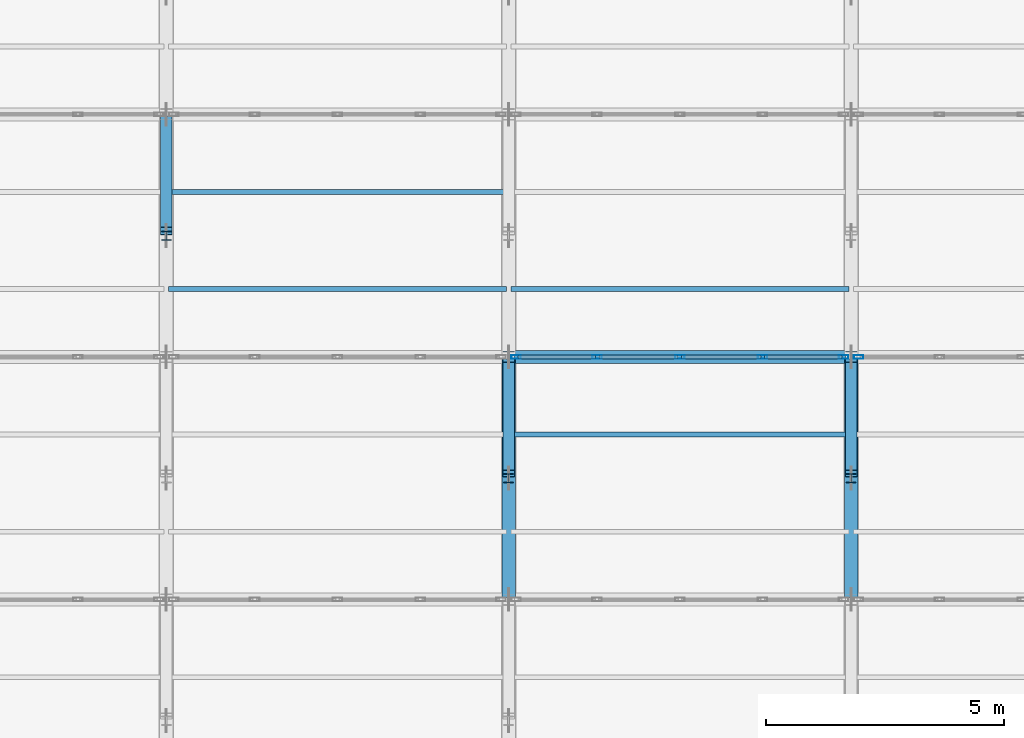
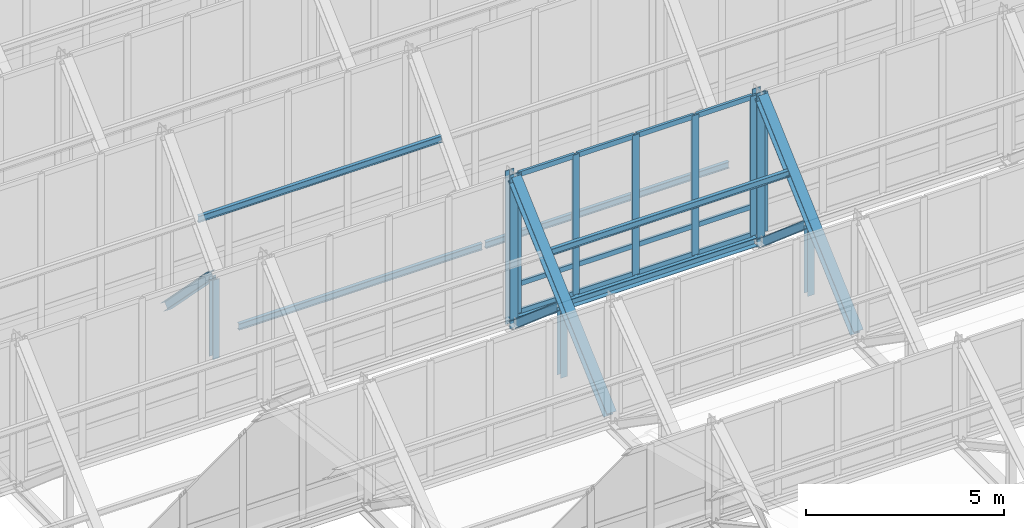
# One storey, part 48 of 157: 32 members, 1 beam, 2 elements without a shape of their own.
"""IFC4 building model written with IfcOpenShell, lengths in metres."""

from ifc_helpers import new_model, si_unit, direction, frame, origin, origin_2d, place, context, subcontext, project, spatial, hollow_rectangle, i_section, extrude, material, material_profile, profile_set, type_object, element, aggregate, save


model = new_model("IFC4")

# Units and contexts
model_context = context("Model", 3, precision=1e-05, world=origin(), true_north=direction((0.0, 1.0)))
body_context = subcontext(model_context, "Body", "Model", "MODEL_VIEW")
ifc_project = project(units=[si_unit("LENGTHUNIT", "METRE"), si_unit("AREAUNIT", "SQUARE_METRE"), si_unit("VOLUMEUNIT", "CUBIC_METRE"), si_unit("PLANEANGLEUNIT", "RADIAN"), si_unit("MASSUNIT", "GRAM", prefix="KILO")], contexts=[model_context])

# Site, building, storey
site_placement = place(None, origin())
site = spatial("IfcSite", under=ifc_project, at=site_placement, CompositionType="ELEMENT")
building_placement = place(site_placement, origin())
building = spatial("IfcBuilding", under=site, at=building_placement, Name="Suanplinth Sawtooth Commons", CompositionType="ELEMENT")
storey_placement = place(building_placement, frame((0.0, 0.0, 9.0)))
storey = spatial("IfcBuildingStorey", under=building, at=storey_placement, Name="L02", CompositionType="ELEMENT", Elevation=9.0)

# Beam
ifc_material_1 = material(Name="Steel S355JR", Category="steel")
ifc_material_profile_1 = material_profile(ifc_material_1, i_section(OverallWidth=0.280029296875, OverallDepth=0.27001953125, WebThickness=0.008056640625, FlangeThickness=0.012939453125, at=origin_2d()), Name="HEA 280")
ifc_profile_set_1 = profile_set([ifc_material_profile_1], Name="Steel S355JR")
beam_type = type_object("IfcBeamType", Name="B-16", PredefinedType="USERDEFINED", material=ifc_profile_set_1)
beam_placement = place(storey_placement, frame((86.52001953125, 65.699951171875, 2.820068359375), z_axis=(1.0, 0.0, 0.0), x_axis=(0.0, 1.0, 0.0)))
element("IfcBeam", 1, at=beam_placement, inside=storey, type_object=beam_type, Name="Sawtooth Valley Girder T4-B4", ObjectType="GIRDER", PredefinedType="USERDEFINED", context=body_context, shape_type="SweptSolid", body=[
    extrude(i_section(OverallWidth=0.280029296875, OverallDepth=0.27001953125, WebThickness=0.008056640625, FlangeThickness=0.012939453125, at=origin_2d()), origin(), (0.0, 0.0, 1.0), 6.9599609375),
])

# Members
ifc_material_profile_2 = material_profile(ifc_material_1, i_section(OverallWidth=0.280029296875, OverallDepth=0.280029296875, WebThickness=0.010498046875, FlangeThickness=0.01806640625, at=origin_2d()), Name="HEB 280")
ifc_profile_set_2 = profile_set([ifc_material_profile_2], Name="Steel S355JR")
member_type_1 = type_object("IfcMemberType", Name="M-02", PredefinedType="CHORD", material=ifc_profile_set_2)
for number, where, z_axis, x_axis, name in (
    (2, (86.39990234375, 60.739990234375, 2.919921875), (0.0, 0.740839311711, 0.671682301556), (-1.0, 0.0, 0.0), "Sawtooth Truss T4 Top Chord 3"),
    (3, (93.60009765625, 60.739990234375, 2.919921875), (0.0, 0.740839311711, 0.671682301556), (-1.0, 0.0, 0.0), "Sawtooth Truss T5 Top Chord 3"),
):
    element("IfcMember", number, at=place(storey_placement, frame(where, z_axis=z_axis, x_axis=x_axis)), inside=storey, type_object=member_type_1, Name=name, PredefinedType="CHORD", context=body_context, shape_type="SweptSolid", body=[
        extrude(i_section(OverallWidth=0.280029296875, OverallDepth=0.280029296875, WebThickness=0.010498046875, FlangeThickness=0.01806640625, at=origin_2d()), origin(), (0.0, 0.0, 1.0), 6.50634765625),
    ])
ifc_material_profile_3 = material_profile(ifc_material_1, i_section(OverallWidth=0.239990234375, OverallDepth=0.22998046875, WebThickness=0.007568359375, FlangeThickness=0.011962890625, at=origin_2d()), Name="HEA 240")
ifc_profile_set_3 = profile_set([ifc_material_profile_3], Name="Steel S355JR")
member_type_2 = type_object("IfcMemberType", Name="M-03", PredefinedType="BRACE", material=ifc_profile_set_3)
member_1_placement = place(storey_placement, frame((79.199951171875, 68.35009765625, 5.1201171875), z_axis=(0.0, 0.701020432133, -0.713141187797), x_axis=(-1.0, 0.0, 0.0)))
element("IfcMember", 4, at=member_1_placement, inside=storey, type_object=member_type_2, Name="Sawtooth Truss T3 Web Diagonal 4", PredefinedType="BRACE", context=body_context, shape_type="SweptSolid", body=[
    extrude(i_section(OverallWidth=0.239990234375, OverallDepth=0.22998046875, WebThickness=0.007568359375, FlangeThickness=0.011962890625, at=origin_2d()), origin(), (0.0, 0.0, 1.0), 3.323486328125),
])
for number, where, z_axis, x_axis, name in (
    (5, (86.39990234375, 63.25, 4.7451171875), (0.0, 0.759593581641, -0.65039802485), (-1.0, 0.0, 0.0), "Sawtooth Truss T4 Web Diagonal 3"),
    (6, (93.60009765625, 63.25, 4.7451171875), (0.0, 0.759593581641, -0.65039802485), (-1.0, 0.0, 0.0), "Sawtooth Truss T5 Web Diagonal 3"),
):
    element("IfcMember", number, at=place(storey_placement, frame(where, z_axis=z_axis, x_axis=x_axis)), inside=storey, type_object=member_type_2, Name=name, PredefinedType="BRACE", context=body_context, shape_type="SweptSolid", body=[
        extrude(i_section(OverallWidth=0.239990234375, OverallDepth=0.22998046875, WebThickness=0.007568359375, FlangeThickness=0.011962890625, at=origin_2d()), origin(), (0.0, 0.0, 1.0), 3.067626953125),
    ])
ifc_material_profile_4 = material_profile(ifc_material_1, i_section(OverallWidth=0.199951171875, OverallDepth=0.18994140625, WebThickness=0.006591796875, FlangeThickness=0.010009765625, at=origin_2d()), Name="HEA 200")
ifc_profile_set_4 = profile_set([ifc_material_profile_4], Name="Steel S355JR")
member_type_3 = type_object("IfcMemberType", Name="M-04", PredefinedType="BRACE", material=ifc_profile_set_4)
member_2_placement = place(storey_placement, frame((79.199951171875, 68.25, 2.64990234375), z_axis=(0.0, 0.0, 1.0), x_axis=(1.0, 0.0, 0.0)))
element("IfcMember", 7, at=member_2_placement, inside=storey, type_object=member_type_3, Name="Sawtooth Truss T3 Mid Web Post 4", PredefinedType="BRACE", context=body_context, shape_type="SweptSolid", body=[
    extrude(i_section(OverallWidth=0.199951171875, OverallDepth=0.18994140625, WebThickness=0.006591796875, FlangeThickness=0.010009765625, at=origin_2d()), origin(), (0.0, 0.0, 1.0), 2.4501953125),
])
for number, where, z_axis, x_axis, name in (
    (8, (86.39990234375, 63.14990234375, 2.64990234375), (0.0, 0.0, 1.0), (1.0, 0.0, 0.0), "Sawtooth Truss T4 Mid Web Post 3"),
    (9, (93.60009765625, 63.14990234375, 2.64990234375), (0.0, 0.0, 1.0), (1.0, 0.0, 0.0), "Sawtooth Truss T5 Mid Web Post 3"),
):
    element("IfcMember", number, at=place(storey_placement, frame(where, z_axis=z_axis, x_axis=x_axis)), inside=storey, type_object=member_type_3, Name=name, PredefinedType="BRACE", context=body_context, shape_type="SweptSolid", body=[
        extrude(i_section(OverallWidth=0.199951171875, OverallDepth=0.18994140625, WebThickness=0.006591796875, FlangeThickness=0.010009765625, at=origin_2d()), origin(), (0.0, 0.0, 1.0), 2.0751953125),
    ])
ifc_material_profile_5 = material_profile(ifc_material_1, i_section(OverallWidth=0.239990234375, OverallDepth=0.239990234375, WebThickness=0.010009765625, FlangeThickness=0.01708984375, at=origin_2d()), Name="HEB 240")
ifc_profile_set_5 = profile_set([ifc_material_profile_5], Name="Steel S355JR")
member_type_4 = type_object("IfcMemberType", Name="M-05", PredefinedType="POST", material=ifc_profile_set_5)
for number, where, z_axis, x_axis, name in (
    (10, (86.39990234375, 65.699951171875, 2.64990234375), (0.0, 0.0, 1.0), (1.0, 0.0, 0.0), "Sawtooth Truss T4 Clerestory Post 3"),
    (11, (93.60009765625, 65.699951171875, 2.64990234375), (0.0, 0.0, 1.0), (1.0, 0.0, 0.0), "Sawtooth Truss T5 Clerestory Post 3"),
):
    element("IfcMember", number, at=place(storey_placement, frame(where, z_axis=z_axis, x_axis=x_axis)), inside=storey, type_object=member_type_4, Name=name, PredefinedType="POST", context=body_context, shape_type="SweptSolid", body=[
        extrude(i_section(OverallWidth=0.239990234375, OverallDepth=0.239990234375, WebThickness=0.010009765625, FlangeThickness=0.01708984375, at=origin_2d()), origin(), (0.0, 0.0, 1.0), 4.739990234375),
    ])
ifc_material_2 = material(Name="Steel SS400", Category="steel")
ifc_material_profile_6 = material_profile(ifc_material_2, i_section(OverallWidth=0.10009765625, OverallDepth=0.199951171875, WebThickness=0.005615234375, FlangeThickness=0.008544921875, at=origin_2d()), Name="IPE 200")
ifc_profile_set_6 = profile_set([ifc_material_profile_6], Name="Steel SS400")
member_type_5 = type_object("IfcMemberType", Name="M-06", PredefinedType="PURLIN", material=ifc_profile_set_6)
for number, where, z_axis, x_axis, name in (
    (12, (86.449951171875, 64.068115234375, 5.84716796875), (1.0, 0.0, 0.0), (0.0, 1.0, 0.0), "Sawtooth Roof Purlin T3-B4-P2"),
    (13, (79.25, 67.1279296875, 4.2587890625), (1.0, 0.0, 0.0), (0.0, 1.0, 0.0), "Sawtooth Roof Purlin T4-B3-P1"),
    (14, (79.25, 69.16796875, 6.3388671875), (1.0, 0.0, 0.0), (0.0, 1.0, 0.0), "Sawtooth Roof Purlin T4-B3-P2"),
    (15, (86.449951171875, 67.1279296875, 4.2587890625), (1.0, 0.0, 0.0), (0.0, 1.0, 0.0), "Sawtooth Roof Purlin T4-B4-P1"),
):
    element("IfcMember", number, at=place(storey_placement, frame(where, z_axis=z_axis, x_axis=x_axis)), inside=storey, type_object=member_type_5, Name=name, PredefinedType="PURLIN", context=body_context, shape_type="SweptSolid", body=[
        extrude(i_section(OverallWidth=0.10009765625, OverallDepth=0.199951171875, WebThickness=0.005615234375, FlangeThickness=0.008544921875, at=origin_2d()), origin(), (0.0, 0.0, 1.0), 7.10009765625),
    ])

# Curtain wall, members
ifc_material_3 = material(Name="Anodized aluminium and low-E glazing", Category="aluminium")
curtain_wall_type = type_object("IfcCurtainWallType", Name="CW-03", PredefinedType="USERDEFINED", material=ifc_material_3)
curtain_wall_1_placement = place(storey_placement, origin())
curtain_wall_1 = element("IfcCurtainWall", 16, at=curtain_wall_1_placement, inside=storey, type_object=curtain_wall_type, Name="Curtain Wall CW-SAW-T3-B4", ObjectType="CURTAIN WALL", PredefinedType="USERDEFINED")
ifc_material_4 = material(Name="Anodized aluminium 6063-T6", Category="aluminium")
ifc_material_profile_7 = material_profile(ifc_material_4, hollow_rectangle(XDim=0.074951171875, YDim=0.199951171875, WallThickness=0.0048828125, at=origin_2d()), Name="ALU-MUL 75x200")
ifc_profile_set_7 = profile_set([ifc_material_profile_7], Name="Anodized aluminium 6063-T6")
member_type_6 = type_object("IfcMemberType", Name="M-14", PredefinedType="MULLION", material=ifc_profile_set_7)
member_3_placement = place(storey_placement, frame((86.5576171875, 65.699951171875, 2.97998046875), z_axis=(0.0, 0.0, 1.0), x_axis=(0.0, 1.0, 0.0)))
member_3 = element("IfcMember", 17, at=member_3_placement, type_object=member_type_6, Name="CW-03 mullion 1", PredefinedType="MULLION", context=body_context, shape_type="SweptSolid", body=[
    extrude(hollow_rectangle(XDim=0.074951171875, YDim=0.199951171875, WallThickness=0.0048828125, at=origin_2d()), origin(), (0.0, 0.0, 1.0), 4.31005859375),
])
member_4_placement = place(storey_placement, frame((88.260009765625, 65.699951171875, 2.97998046875), z_axis=(0.0, 0.0, 1.0), x_axis=(0.0, 1.0, 0.0)))
member_4 = element("IfcMember", 18, at=member_4_placement, type_object=member_type_6, Name="CW-03 mullion 2", PredefinedType="MULLION", context=body_context, shape_type="SweptSolid", body=[
    extrude(hollow_rectangle(XDim=0.074951171875, YDim=0.199951171875, WallThickness=0.0048828125, at=origin_2d()), origin(), (0.0, 0.0, 1.0), 4.31005859375),
])
member_5_placement = place(storey_placement, frame((90.0, 65.699951171875, 2.97998046875), z_axis=(0.0, 0.0, 1.0), x_axis=(0.0, 1.0, 0.0)))
member_5 = element("IfcMember", 19, at=member_5_placement, type_object=member_type_6, Name="CW-03 mullion 3", PredefinedType="MULLION", context=body_context, shape_type="SweptSolid", body=[
    extrude(hollow_rectangle(XDim=0.074951171875, YDim=0.199951171875, WallThickness=0.0048828125, at=origin_2d()), origin(), (0.0, 0.0, 1.0), 4.31005859375),
])
member_6_placement = place(storey_placement, frame((91.739990234375, 65.699951171875, 2.97998046875), z_axis=(0.0, 0.0, 1.0), x_axis=(0.0, 1.0, 0.0)))
member_6 = element("IfcMember", 20, at=member_6_placement, type_object=member_type_6, Name="CW-03 mullion 4", PredefinedType="MULLION", context=body_context, shape_type="SweptSolid", body=[
    extrude(hollow_rectangle(XDim=0.074951171875, YDim=0.199951171875, WallThickness=0.0048828125, at=origin_2d()), origin(), (0.0, 0.0, 1.0), 4.31005859375),
])
member_7_placement = place(storey_placement, frame((93.4423828125, 65.699951171875, 2.97998046875), z_axis=(0.0, 0.0, 1.0), x_axis=(0.0, 1.0, 0.0)))
member_7 = element("IfcMember", 21, at=member_7_placement, type_object=member_type_6, Name="CW-03 mullion 5", PredefinedType="MULLION", context=body_context, shape_type="SweptSolid", body=[
    extrude(hollow_rectangle(XDim=0.074951171875, YDim=0.199951171875, WallThickness=0.0048828125, at=origin_2d()), origin(), (0.0, 0.0, 1.0), 4.31005859375),
])

# Curtain wall, member
curtain_wall_2_placement = place(storey_placement, origin())
curtain_wall_2 = element("IfcCurtainWall", 22, at=curtain_wall_2_placement, inside=storey, type_object=curtain_wall_type, Name="Curtain Wall CW-SAW-T3-B5", ObjectType="CURTAIN WALL", PredefinedType="USERDEFINED")
member_8_placement = place(storey_placement, frame((93.757568359375, 65.699951171875, 2.97998046875), z_axis=(0.0, 0.0, 1.0), x_axis=(0.0, 1.0, 0.0)))
member_8 = element("IfcMember", 23, at=member_8_placement, type_object=member_type_6, Name="CW-03 mullion 1", PredefinedType="MULLION", context=body_context, shape_type="SweptSolid", body=[
    extrude(hollow_rectangle(XDim=0.074951171875, YDim=0.199951171875, WallThickness=0.0048828125, at=origin_2d()), origin(), (0.0, 0.0, 1.0), 4.31005859375),
])
aggregate(curtain_wall_2, [member_8])

# Member
ifc_material_profile_8 = material_profile(ifc_material_4, hollow_rectangle(XDim=0.074951171875, YDim=0.14990234375, WallThickness=0.00439453125, at=origin_2d()), Name="ALU-TRN 75x150")
ifc_profile_set_8 = profile_set([ifc_material_profile_8], Name="Anodized aluminium 6063-T6")
member_type_7 = type_object("IfcMemberType", Name="M-16", PredefinedType="USERDEFINED", material=ifc_profile_set_8)
member_9_placement = place(storey_placement, frame((86.594970703125, 65.699951171875, 3.017578125), z_axis=(1.0, 0.0, 0.0), x_axis=(0.0, 1.0, 0.0)))
member_9 = element("IfcMember", 24, at=member_9_placement, type_object=member_type_7, Name="CW-03 transom 1.1", ObjectType="TRANSOM", PredefinedType="USERDEFINED", context=body_context, shape_type="SweptSolid", body=[
    extrude(hollow_rectangle(XDim=0.074951171875, YDim=0.14990234375, WallThickness=0.00439453125, at=origin_2d()), origin(), (0.0, 0.0, 1.0), 1.62744140625),
])

member_10_placement = place(storey_placement, frame((86.594970703125, 65.699951171875, 3.8798828125), z_axis=(1.0, 0.0, 0.0), x_axis=(0.0, 1.0, 0.0)))
member_10 = element("IfcMember", 25, at=member_10_placement, type_object=member_type_7, Name="CW-03 transom 1.2", ObjectType="TRANSOM", PredefinedType="USERDEFINED", context=body_context, shape_type="SweptSolid", body=[
    extrude(hollow_rectangle(XDim=0.074951171875, YDim=0.14990234375, WallThickness=0.00439453125, at=origin_2d()), origin(), (0.0, 0.0, 1.0), 1.62744140625),
])

member_11_placement = place(storey_placement, frame((86.594970703125, 65.699951171875, 7.25244140625), z_axis=(1.0, 0.0, 0.0), x_axis=(0.0, 1.0, 0.0)))
member_11 = element("IfcMember", 26, at=member_11_placement, type_object=member_type_7, Name="CW-03 transom 1.3", ObjectType="TRANSOM", PredefinedType="USERDEFINED", context=body_context, shape_type="SweptSolid", body=[
    extrude(hollow_rectangle(XDim=0.074951171875, YDim=0.14990234375, WallThickness=0.00439453125, at=origin_2d()), origin(), (0.0, 0.0, 1.0), 1.62744140625),
])

member_12_placement = place(storey_placement, frame((88.297607421875, 65.699951171875, 3.017578125), z_axis=(1.0, 0.0, 0.0), x_axis=(0.0, 1.0, 0.0)))
member_12 = element("IfcMember", 27, at=member_12_placement, type_object=member_type_7, Name="CW-03 transom 2.1", ObjectType="TRANSOM", PredefinedType="USERDEFINED", context=body_context, shape_type="SweptSolid", body=[
    extrude(hollow_rectangle(XDim=0.074951171875, YDim=0.14990234375, WallThickness=0.00439453125, at=origin_2d()), origin(), (0.0, 0.0, 1.0), 1.664794921875),
])

member_13_placement = place(storey_placement, frame((88.297607421875, 65.699951171875, 3.8798828125), z_axis=(1.0, 0.0, 0.0), x_axis=(0.0, 1.0, 0.0)))
member_13 = element("IfcMember", 28, at=member_13_placement, type_object=member_type_7, Name="CW-03 transom 2.2", ObjectType="TRANSOM", PredefinedType="USERDEFINED", context=body_context, shape_type="SweptSolid", body=[
    extrude(hollow_rectangle(XDim=0.074951171875, YDim=0.14990234375, WallThickness=0.00439453125, at=origin_2d()), origin(), (0.0, 0.0, 1.0), 1.664794921875),
])

member_14_placement = place(storey_placement, frame((88.297607421875, 65.699951171875, 7.25244140625), z_axis=(1.0, 0.0, 0.0), x_axis=(0.0, 1.0, 0.0)))
member_14 = element("IfcMember", 29, at=member_14_placement, type_object=member_type_7, Name="CW-03 transom 2.3", ObjectType="TRANSOM", PredefinedType="USERDEFINED", context=body_context, shape_type="SweptSolid", body=[
    extrude(hollow_rectangle(XDim=0.074951171875, YDim=0.14990234375, WallThickness=0.00439453125, at=origin_2d()), origin(), (0.0, 0.0, 1.0), 1.664794921875),
])

member_15_placement = place(storey_placement, frame((90.03759765625, 65.699951171875, 3.017578125), z_axis=(1.0, 0.0, 0.0), x_axis=(0.0, 1.0, 0.0)))
member_15 = element("IfcMember", 30, at=member_15_placement, type_object=member_type_7, Name="CW-03 transom 3.1", ObjectType="TRANSOM", PredefinedType="USERDEFINED", context=body_context, shape_type="SweptSolid", body=[
    extrude(hollow_rectangle(XDim=0.074951171875, YDim=0.14990234375, WallThickness=0.00439453125, at=origin_2d()), origin(), (0.0, 0.0, 1.0), 1.664794921875),
])

member_16_placement = place(storey_placement, frame((90.03759765625, 65.699951171875, 3.8798828125), z_axis=(1.0, 0.0, 0.0), x_axis=(0.0, 1.0, 0.0)))
member_16 = element("IfcMember", 31, at=member_16_placement, type_object=member_type_7, Name="CW-03 transom 3.2", ObjectType="TRANSOM", PredefinedType="USERDEFINED", context=body_context, shape_type="SweptSolid", body=[
    extrude(hollow_rectangle(XDim=0.074951171875, YDim=0.14990234375, WallThickness=0.00439453125, at=origin_2d()), origin(), (0.0, 0.0, 1.0), 1.664794921875),
])

member_17_placement = place(storey_placement, frame((90.03759765625, 65.699951171875, 7.25244140625), z_axis=(1.0, 0.0, 0.0), x_axis=(0.0, 1.0, 0.0)))
member_17 = element("IfcMember", 32, at=member_17_placement, type_object=member_type_7, Name="CW-03 transom 3.3", ObjectType="TRANSOM", PredefinedType="USERDEFINED", context=body_context, shape_type="SweptSolid", body=[
    extrude(hollow_rectangle(XDim=0.074951171875, YDim=0.14990234375, WallThickness=0.00439453125, at=origin_2d()), origin(), (0.0, 0.0, 1.0), 1.664794921875),
])

member_18_placement = place(storey_placement, frame((91.777587890625, 65.699951171875, 3.017578125), z_axis=(1.0, 0.0, 0.0), x_axis=(0.0, 1.0, 0.0)))
member_18 = element("IfcMember", 33, at=member_18_placement, type_object=member_type_7, Name="CW-03 transom 4.1", ObjectType="TRANSOM", PredefinedType="USERDEFINED", context=body_context, shape_type="SweptSolid", body=[
    extrude(hollow_rectangle(XDim=0.074951171875, YDim=0.14990234375, WallThickness=0.00439453125, at=origin_2d()), origin(), (0.0, 0.0, 1.0), 1.62744140625),
])

member_19_placement = place(storey_placement, frame((91.777587890625, 65.699951171875, 3.8798828125), z_axis=(1.0, 0.0, 0.0), x_axis=(0.0, 1.0, 0.0)))
member_19 = element("IfcMember", 34, at=member_19_placement, type_object=member_type_7, Name="CW-03 transom 4.2", ObjectType="TRANSOM", PredefinedType="USERDEFINED", context=body_context, shape_type="SweptSolid", body=[
    extrude(hollow_rectangle(XDim=0.074951171875, YDim=0.14990234375, WallThickness=0.00439453125, at=origin_2d()), origin(), (0.0, 0.0, 1.0), 1.62744140625),
])

member_20_placement = place(storey_placement, frame((91.777587890625, 65.699951171875, 7.25244140625), z_axis=(1.0, 0.0, 0.0), x_axis=(0.0, 1.0, 0.0)))
member_20 = element("IfcMember", 35, at=member_20_placement, type_object=member_type_7, Name="CW-03 transom 4.3", ObjectType="TRANSOM", PredefinedType="USERDEFINED", context=body_context, shape_type="SweptSolid", body=[
    extrude(hollow_rectangle(XDim=0.074951171875, YDim=0.14990234375, WallThickness=0.00439453125, at=origin_2d()), origin(), (0.0, 0.0, 1.0), 1.62744140625),
])

aggregate(curtain_wall_1, [member_3, member_4, member_5, member_6, member_7, member_9, member_10, member_11, member_12, member_13, member_14, member_15, member_16, member_17, member_18, member_19, member_20])

save(model, "model.ifc")
